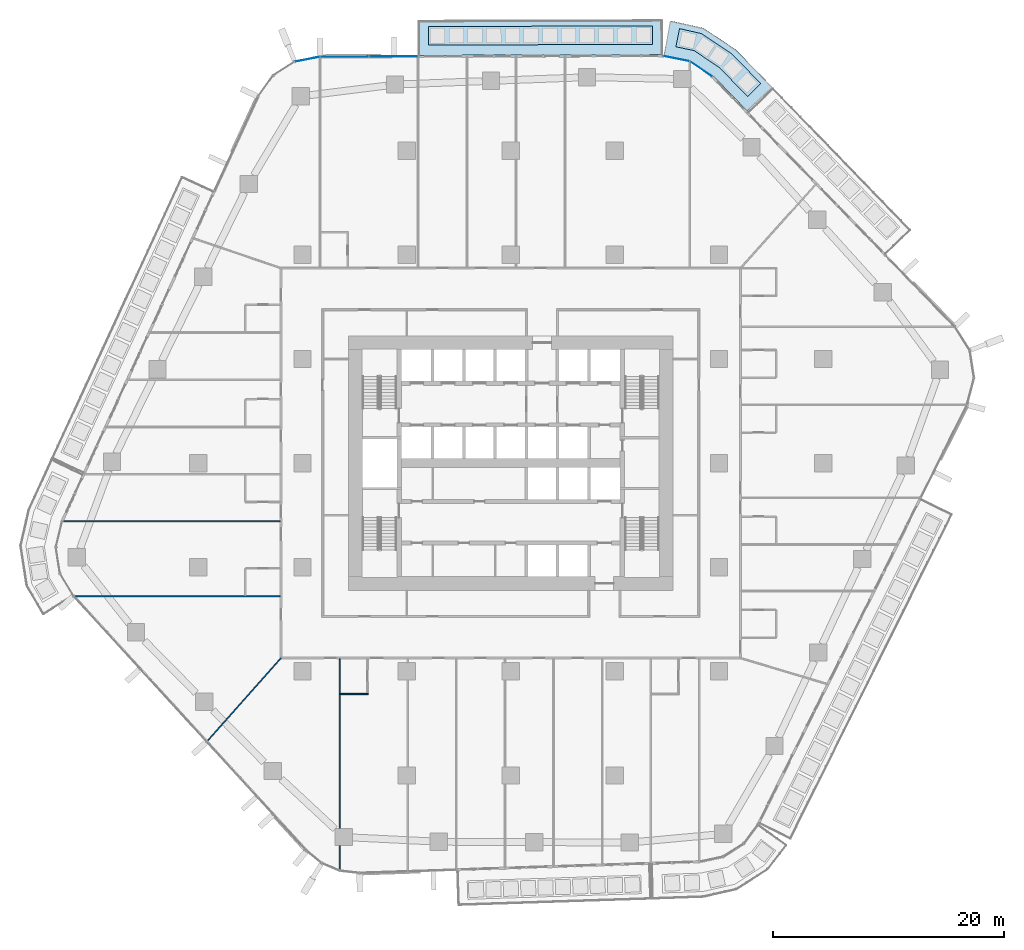
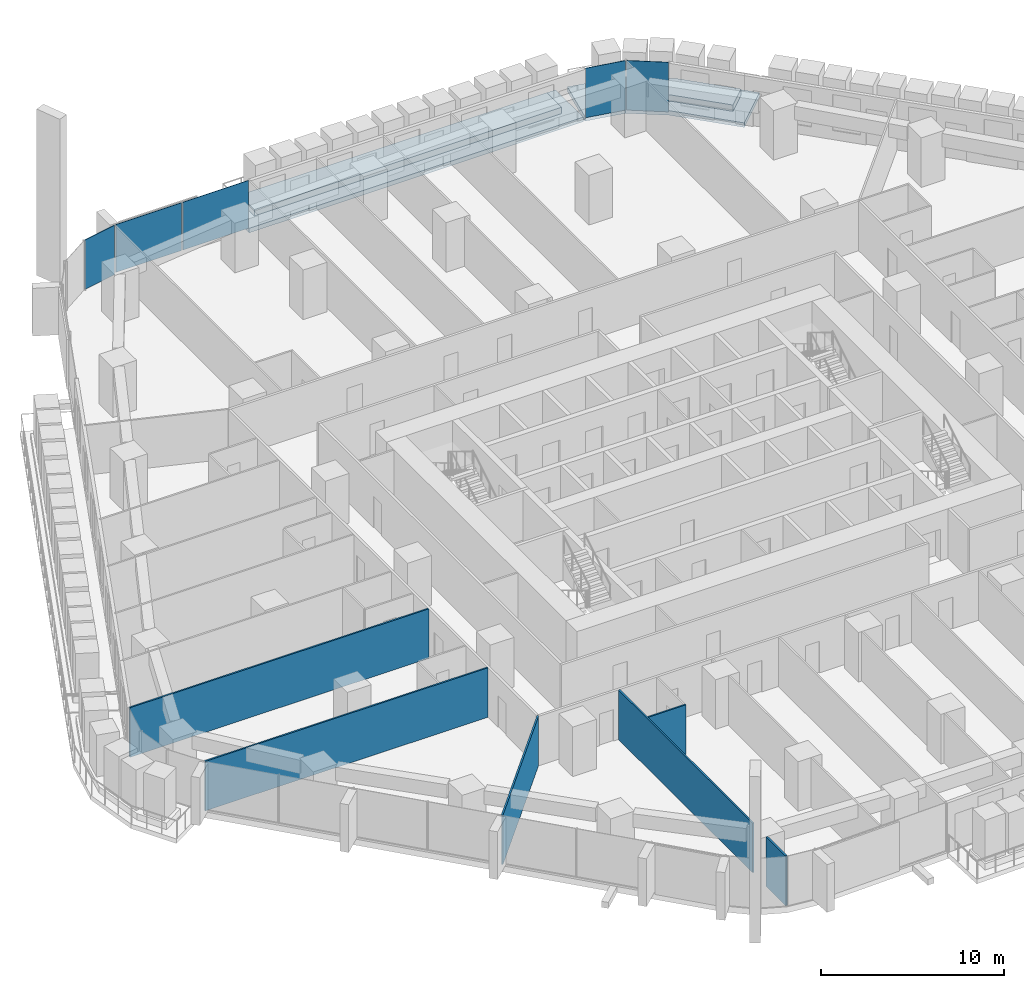
# One storey, part 12 of 27: 6 walls, 5 plates, 4 slabs, 3 elements without a shape of their own.
"""IFC4 building model written with IfcOpenShell, lengths in metres."""

from ifc_helpers import new_model, si_unit, direction, frame, frame_2d, origin, origin_2d, place, context, subcontext, project, spatial, polyline, rectangle, outline, extrude, material, layer, layer_set, type_object, element, aggregate, save


model = new_model("IFC4")

# Units and contexts
model_context = context("Model", 3, precision=1e-05, world=origin(), true_north=direction((0.0, 1.0)))
body_context = subcontext(model_context, "Body", "Model", "MODEL_VIEW")
ifc_project = project(units=[si_unit("LENGTHUNIT", "METRE"), si_unit("AREAUNIT", "SQUARE_METRE"), si_unit("VOLUMEUNIT", "CUBIC_METRE"), si_unit("PLANEANGLEUNIT", "RADIAN"), si_unit("MASSUNIT", "GRAM", prefix="KILO")], contexts=[model_context])

# Site, building, storey
site_placement = place(None, origin())
site = spatial("IfcSite", under=ifc_project, at=site_placement, CompositionType="ELEMENT")
building_placement = place(site_placement, origin())
building = spatial("IfcBuilding", under=site, at=building_placement, Name="Dongbaek Canopy Tower", CompositionType="ELEMENT")
storey_placement = place(building_placement, frame((0.0, 0.0, 55.10009765625)))
storey = spatial("IfcBuildingStorey", under=building, at=storey_placement, Name="L09", CompositionType="ELEMENT", Elevation=55.10009765625)

# Slabs
ifc_material_1 = material(Name="Concrete C40/50", Category="concrete")
ifc_layer_1 = layer(ifc_material_1, 0.300048828125)
ifc_layer_set_1 = layer_set([ifc_layer_1], Name="Balcony slab 300")
slab_type_1 = type_object("IfcSlabType", Name="Balcony slab 300", PredefinedType="FLOOR", material=ifc_layer_set_1)
slab_1_placement = place(storey_placement, frame((0.0, 0.0, -0.300048828125)))
element("IfcSlab", 1, at=slab_1_placement, inside=storey, type_object=slab_type_1, Name="Balcony L09 6", PredefinedType="FLOOR", context=body_context, shape_type="SweptSolid", body=[
    extrude(outline(polyline([(20.449951171875, 30.416259765625), (17.490966796875, 33.46875), (15.5146484375, 34.821044921875), (13.2158203125, 35.28271484375), (13.806640625, 38.22412109375), (16.680419921875, 37.585205078125), (19.424560546875, 35.762451171875), (22.60400390625, 32.50439453125), (20.449951171875, 30.416259765625)])), origin(), (0.0, 0.0, 1.0), 0.300048828125),
])
slab_2_placement = place(storey_placement, frame((0.0, 0.0, -0.300048828125)))
element("IfcSlab", 2, at=slab_2_placement, inside=storey, type_object=slab_type_1, Name="Balcony L09 2", PredefinedType="FLOOR", context=body_context, shape_type="SweptSolid", body=[
    extrude(outline(polyline([(13.116943359375, 35.29248046875), (-7.970703125, 35.236328125), (-7.978759765625, 38.236328125), (13.10888671875, 38.29248046875), (13.116943359375, 35.29248046875)])), origin(), (0.0, 0.0, 1.0), 0.300048828125),
])

# Curtain wall, plates
ifc_material_2 = material(Name="Aluminium 6063-T6 pale anodised", Category="aluminium")
ifc_layer_2 = layer(ifc_material_2, 0.199951171875)
ifc_layer_set_2 = layer_set([ifc_layer_2], Name="CW-1 unitised tower curtain wall")
curtain_wall_type = type_object("IfcCurtainWallType", Name="CW-1 unitised tower curtain wall", PredefinedType="NOTDEFINED", material=ifc_layer_set_2)
curtain_wall_1_placement = place(storey_placement, origin())
curtain_wall_1 = element("IfcCurtainWall", 3, at=curtain_wall_1_placement, inside=storey, type_object=curtain_wall_type, Name="CW-1 curtain wall K1.1", PredefinedType="NOTDEFINED")
ifc_material_3 = material(Name="Clear laminated glass", Category="glass")
ifc_layer_3 = layer(ifc_material_3, 0.028076171875)
ifc_layer_set_3 = layer_set([ifc_layer_3], Name="CW-1 glazed panel 28")
plate_type = type_object("IfcPlateType", Name="CW-1 glazed panel 28", PredefinedType="CURTAIN_PANEL", material=ifc_layer_set_3)
plate_1_placement = place(storey_placement, frame((16.450439453125, 34.0595703125, 0.0), z_axis=(0.0, 0.0, 1.0), x_axis=(-0.825317877903, 0.564668398633, 0.0)))
plate_1 = element("IfcPlate", 4, at=plate_1_placement, type_object=plate_type, Name="CW-1 panel K1.1.1.1", PredefinedType="CURTAIN_PANEL", context=body_context, shape_type="SweptSolid", body=[
    extrude(rectangle(XDim=2.2802734375, YDim=0.028076171875, at=origin_2d()), origin(), (0.0, 0.0, 1.0), 3.300048828125),
])
plate_2_placement = place(storey_placement, frame((14.31591796875, 34.959716796875, 0.0), z_axis=(0.0, 0.0, 1.0), x_axis=(-0.980416013285, 0.19693765738, 0.0)))
plate_2 = element("IfcPlate", 5, at=plate_2_placement, type_object=plate_type, Name="CW-1 panel K1.1.2.1", PredefinedType="CURTAIN_PANEL", context=body_context, shape_type="SweptSolid", body=[
    extrude(rectangle(XDim=2.2802734375, YDim=0.028076171875, at=origin_2d()), origin(), (0.0, 0.0, 1.0), 3.300048828125),
])
aggregate(curtain_wall_1, [plate_1, plate_2])

curtain_wall_2_placement = place(storey_placement, origin())
curtain_wall_2 = element("IfcCurtainWall", 6, at=curtain_wall_2_placement, inside=storey, type_object=curtain_wall_type, Name="CW-1 curtain wall F1.1", PredefinedType="NOTDEFINED")
plate_3_placement = place(storey_placement, frame((-10.13916015625, 35.13037109375, 0.1201171875), z_axis=(0.0, 0.0, 1.0), x_axis=(-0.999996447361, -0.002665570299, 0.0)))
plate_3 = element("IfcPlate", 7, at=plate_3_placement, type_object=plate_type, Name="CW-1 panel F1.1.1.1", PredefinedType="CURTAIN_PANEL", context=body_context, shape_type="SweptSolid", body=[
    extrude(rectangle(XDim=4.153564453125, YDim=0.028076171875, at=origin_2d()), origin(), (0.0, 0.0, 1.0), 3.179931640625),
])
plate_4_placement = place(storey_placement, frame((-14.3720703125, 35.119140625, 0.1201171875), z_axis=(0.0, 0.0, 1.0), x_axis=(-0.999996447361, -0.002665570299, 0.0)))
plate_4 = element("IfcPlate", 8, at=plate_4_placement, type_object=plate_type, Name="CW-1 panel F1.1.2.1", PredefinedType="CURTAIN_PANEL", context=body_context, shape_type="SweptSolid", body=[
    extrude(rectangle(XDim=4.14404296875, YDim=0.028076171875, at=origin_2d()), origin(), (0.0, 0.0, 1.0), 3.179931640625),
])
aggregate(curtain_wall_2, [plate_3, plate_4])

# Curtain wall, plate
curtain_wall_3_placement = place(storey_placement, origin())
curtain_wall_3 = element("IfcCurtainWall", 9, at=curtain_wall_3_placement, inside=storey, type_object=curtain_wall_type, Name="CW-1 curtain wall K2.1", PredefinedType="NOTDEFINED")
plate_5_placement = place(storey_placement, frame((-17.580322265625, 34.90087890625, 0.0), z_axis=(0.0, 0.0, 1.0), x_axis=(-0.981624923335, -0.190820622283, 0.0)))
plate_5 = element("IfcPlate", 10, at=plate_5_placement, type_object=plate_type, Name="CW-1 panel K2.1.1.1", PredefinedType="CURTAIN_PANEL", context=body_context, shape_type="SweptSolid", body=[
    extrude(rectangle(XDim=2.145751953125, YDim=0.028076171875, at=origin_2d()), origin(), (0.0, 0.0, 1.0), 3.300048828125),
])
aggregate(curtain_wall_3, [plate_5])

# Slabs
ifc_material_4 = material(Name="Reinforced concrete C40/50 planter box with soil", Category="concrete")
ifc_layer_4 = layer(ifc_material_4, 0.419921875)
ifc_layer_set_4 = layer_set([ifc_layer_4], Name="Terrace planter box 1600 x 420")
slab_type_2 = type_object("IfcSlabType", Name="Terrace planter box 1600 x 420", PredefinedType="USERDEFINED", material=ifc_layer_set_4)
slab_3_placement = place(storey_placement, origin())
element("IfcSlab", 11, at=slab_3_placement, inside=storey, type_object=slab_type_2, Name="Balcony planter L09 6", ObjectType="PLANTER", PredefinedType="USERDEFINED", context=body_context, shape_type="SweptSolid", body=[
    extrude(outline(polyline([(20.462646484375, 31.681884765625), (18.064453125, 34.149169921875), (15.8603515625, 35.64111328125), (14.2734375, 35.97802734375), (14.588623046875, 37.546630859375), (16.482177734375, 37.115234375), (19.095947265625, 35.37255859375), (21.611328125, 32.795654296875), (20.462646484375, 31.681884765625)])), origin(), (0.0, 0.0, 1.0), 0.419921875),
])
slab_4_placement = place(storey_placement, origin())
element("IfcSlab", 12, at=slab_4_placement, inside=storey, type_object=slab_type_2, Name="Balcony planter L09 2", ObjectType="PLANTER", PredefinedType="USERDEFINED", context=body_context, shape_type="SweptSolid", body=[
    extrude(outline(polyline([(12.264404296875, 36.18017578125), (-7.123046875, 36.12841796875), (-7.12744140625, 37.728515625), (12.26025390625, 37.7802734375), (12.264404296875, 36.18017578125)])), origin(), (0.0, 0.0, 1.0), 0.419921875),
])

# Walls
ifc_material_5 = material(Name="Gypsum board partition, steel stud, 2 x 12.5 mm board", Category="steel")
ifc_layer_5 = layer(ifc_material_5, 0.10009765625)
ifc_layer_set_5 = layer_set([ifc_layer_5], Name="Partition 100 gypsum board")
wall_type = type_object("IfcWallType", Name="Partition 100 gypsum board", PredefinedType="PARTITIONING", material=ifc_layer_set_5)
wall_1_placement = place(storey_placement, frame((-14.723876953125, -19.949951171875, 0.0), z_axis=(0.0, 0.0, 1.0), x_axis=(1.0, 0.0, 0.0)))
element("IfcWall", 13, at=wall_1_placement, inside=storey, type_object=wall_type, Name="Partition", PredefinedType="PARTITIONING", context=body_context, shape_type="SweptSolid", body=[
    extrude(rectangle(XDim=2.400146484375, YDim=0.10009765625, at=frame_2d((1.2001953125, 0.0))), origin(), (0.0, 0.0, 1.0), 3.2998046875),
])
wall_2_placement = place(storey_placement, frame((-37.735595703125, -11.498046875, 0.0), z_axis=(0.0, 0.0, 1.0), x_axis=(1.0, 0.0, 0.0)))
element("IfcWall", 14, at=wall_2_placement, inside=storey, type_object=wall_type, Name="Partition", PredefinedType="PARTITIONING", context=body_context, shape_type="SweptSolid", body=[
    extrude(rectangle(XDim=17.810546875, YDim=0.10009765625, at=frame_2d((8.9052734375, 0.0))), origin(), (0.0, 0.0, 1.0), 3.2998046875),
])
wall_3_placement = place(storey_placement, frame((-38.74755859375, -5.028076171875, 0.0), z_axis=(0.0, 0.0, 1.0), x_axis=(1.0, 0.0, 0.0)))
element("IfcWall", 15, at=wall_3_placement, inside=storey, type_object=wall_type, Name="Partition", PredefinedType="PARTITIONING", context=body_context, shape_type="SweptSolid", body=[
    extrude(rectangle(XDim=18.822509765625, YDim=0.10009765625, at=frame_2d((9.4111328125, 0.0))), origin(), (0.0, 0.0, 1.0), 3.2998046875),
])
wall_4_placement = place(storey_placement, frame((-26.25341796875, -24.0498046875, 0.0), z_axis=(0.0, 0.0, 1.0), x_axis=(0.66458555916, 0.747212175059, 0.0)))
element("IfcWall", 16, at=wall_4_placement, inside=storey, type_object=wall_type, Name="Partition", PredefinedType="PARTITIONING", context=body_context, shape_type="SweptSolid", body=[
    extrude(rectangle(XDim=9.635498046875, YDim=0.10009765625, at=frame_2d((4.81787109375, 0.0))), origin(), (0.0, 0.0, 1.0), 3.2998046875),
])
wall_5_placement = place(storey_placement, frame((-14.77392578125, -35.199951171875, 0.0), z_axis=(0.0, 0.0, 1.0), x_axis=(0.0, 1.0, 0.0)))
element("IfcWall", 17, at=wall_5_placement, inside=storey, type_object=wall_type, Name="Partition", PredefinedType="PARTITIONING", context=body_context, shape_type="SweptSolid", body=[
    extrude(rectangle(XDim=2.136962890625, YDim=0.10009765625, at=frame_2d((1.068359375, 0.0))), origin(), (0.0, 0.0, 1.0), 3.2998046875),
])
wall_6_placement = place(storey_placement, frame((-14.77392578125, -31.56298828125, 0.0), z_axis=(0.0, 0.0, 1.0), x_axis=(0.0, 1.0, 0.0)))
element("IfcWall", 18, at=wall_6_placement, inside=storey, type_object=wall_type, Name="Partition", PredefinedType="PARTITIONING", context=body_context, shape_type="SweptSolid", body=[
    extrude(rectangle(XDim=14.637939453125, YDim=0.10009765625, at=frame_2d((7.31884765625, 0.0))), origin(), (0.0, 0.0, 1.0), 3.2998046875),
])

save(model, "model.ifc")
